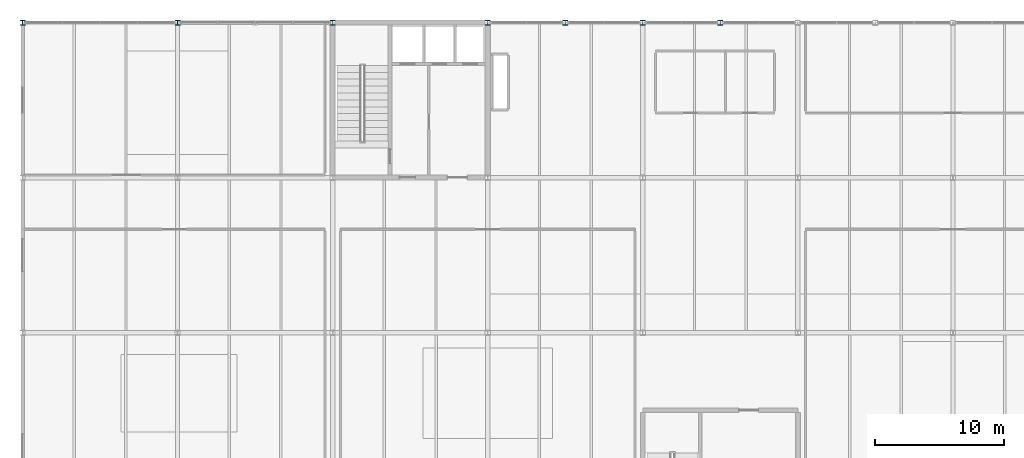
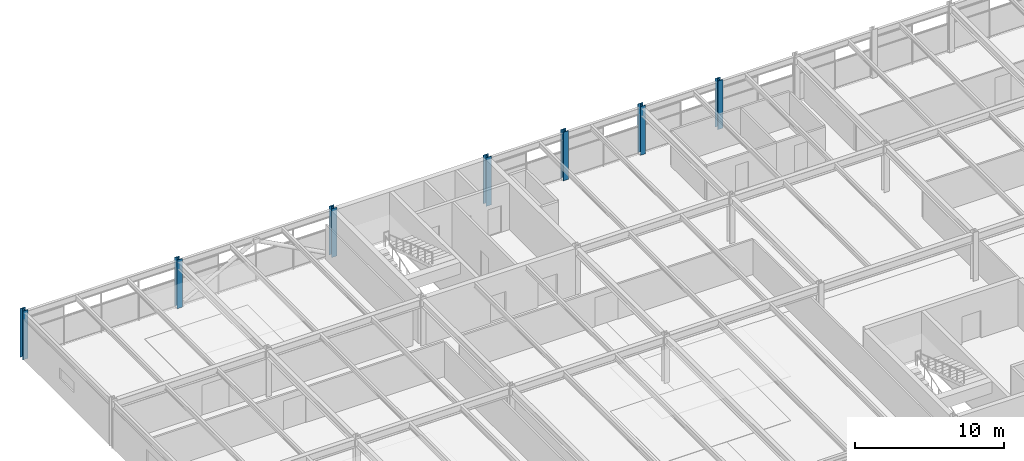
# One storey, part 3 of 51: 7 columns.
"""IFC4 building model written with IfcOpenShell, lengths in metres."""

from ifc_helpers import new_model, si_unit, direction, frame, origin, origin_2d, place, context, subcontext, project, spatial, i_section, extrude, material, material_profile, profile_set, type_object, element, save


model = new_model("IFC4")

# Units and contexts
model_context = context("Model", 3, precision=1e-05, world=origin(), true_north=direction((0.0, 1.0)))
body_context = subcontext(model_context, "Body", "Model", "MODEL_VIEW")
ifc_project = project(units=[si_unit("LENGTHUNIT", "METRE"), si_unit("AREAUNIT", "SQUARE_METRE"), si_unit("VOLUMEUNIT", "CUBIC_METRE"), si_unit("PLANEANGLEUNIT", "RADIAN"), si_unit("MASSUNIT", "GRAM", prefix="KILO")], contexts=[model_context])

# Site, building, storey
site_placement = place(None, origin())
site = spatial("IfcSite", under=ifc_project, at=site_placement, CompositionType="ELEMENT")
building_placement = place(site_placement, origin())
building = spatial("IfcBuilding", under=site, at=building_placement, Name="Girod Span Mobility Hub", CompositionType="ELEMENT")
storey_placement = place(building_placement, frame((0.0, 0.0, 41.60009765625)))
storey = spatial("IfcBuildingStorey", under=building, at=storey_placement, Name="L10", CompositionType="ELEMENT", Elevation=41.60009765625)

# Columns
ifc_material_1 = material(Name="Steel A992 Grade 50", Category="steel")
ifc_material_profile_1 = material_profile(ifc_material_1, i_section(OverallWidth=0.39404296875, OverallDepth=0.375, WebThickness=0.017333984375, FlangeThickness=0.027587890625, FilletRadius=0.01806640625, at=origin_2d()), Name="W14X145")
ifc_profile_set_1 = profile_set([ifc_material_profile_1], Name="Steel A992 Grade 50")
column_type_1 = type_object("IfcColumnType", Name="COL-STL-W14X145", PredefinedType="COLUMN", material=ifc_profile_set_1)
for number, where, z_axis, x_axis, name in (
    (1, (24.0, 69.0, 0.0), (0.0, 0.0, 1.0), (1.0, 0.0, 0.0), "Column 3F L10"),
    (2, (36.0, 69.0, 0.0), (0.0, 0.0, 1.0), (1.0, 0.0, 0.0), "Column 4F L10"),
    (3, (66.0, 69.0, 0.0), (0.0, 0.0, 1.0), (1.0, 0.0, 0.0), "Facade Intermediate Column INT-1 L10"),
    (4, (78.0, 69.0, 0.0), (0.0, 0.0, 1.0), (1.0, 0.0, 0.0), "Facade Intermediate Column INT-2 L10"),
):
    element("IfcColumn", number, at=place(storey_placement, frame(where, z_axis=z_axis, x_axis=x_axis)), inside=storey, type_object=column_type_1, Name=name, PredefinedType="COLUMN", context=body_context, shape_type="SweptSolid", body=[
        extrude(i_section(OverallWidth=0.39404296875, OverallDepth=0.375, WebThickness=0.017333984375, FlangeThickness=0.027587890625, FilletRadius=0.01806640625, at=origin_2d()), origin(), (0.0, 0.0, 1.0), 4.0),
    ])
ifc_material_2 = material(Name="Steel A992 Grade 50", Category="steel")
ifc_material_profile_2 = material_profile(ifc_material_2, i_section(OverallWidth=0.39892578125, OverallDepth=0.39306640625, WebThickness=0.022705078125, FlangeThickness=0.03662109375, FilletRadius=0.01806640625, at=origin_2d()), Name="W14X193")
ifc_profile_set_2 = profile_set([ifc_material_profile_2], Name="Steel A992 Grade 50")
column_type_2 = type_object("IfcColumnType", Name="COL-STL-W14X193", PredefinedType="COLUMN", material=ifc_profile_set_2)
for number, where, z_axis, x_axis, name in (
    (5, (48.0, 69.0, 0.0), (0.0, 0.0, 1.0), (1.0, 0.0, 0.0), "Column 5F L10"),
    (6, (60.0, 69.0, 0.0), (0.0, 0.0, 1.0), (1.0, 0.0, 0.0), "Column 6F L10"),
    (7, (72.0, 69.0, 0.0), (0.0, 0.0, 1.0), (1.0, 0.0, 0.0), "Column 7F L10"),
):
    element("IfcColumn", number, at=place(storey_placement, frame(where, z_axis=z_axis, x_axis=x_axis)), inside=storey, type_object=column_type_2, Name=name, PredefinedType="COLUMN", context=body_context, shape_type="SweptSolid", body=[
        extrude(i_section(OverallWidth=0.39892578125, OverallDepth=0.39306640625, WebThickness=0.022705078125, FlangeThickness=0.03662109375, FilletRadius=0.01806640625, at=origin_2d()), origin(), (0.0, 0.0, 1.0), 4.0),
    ])

save(model, "model.ifc")
